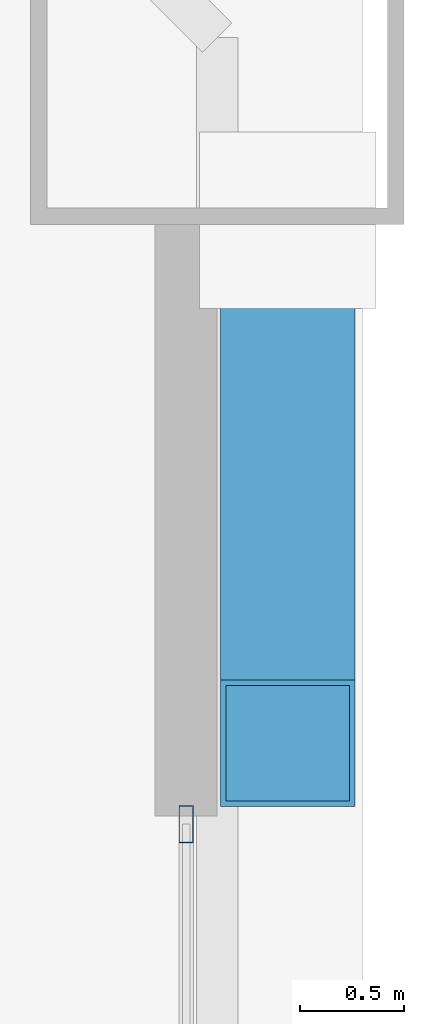
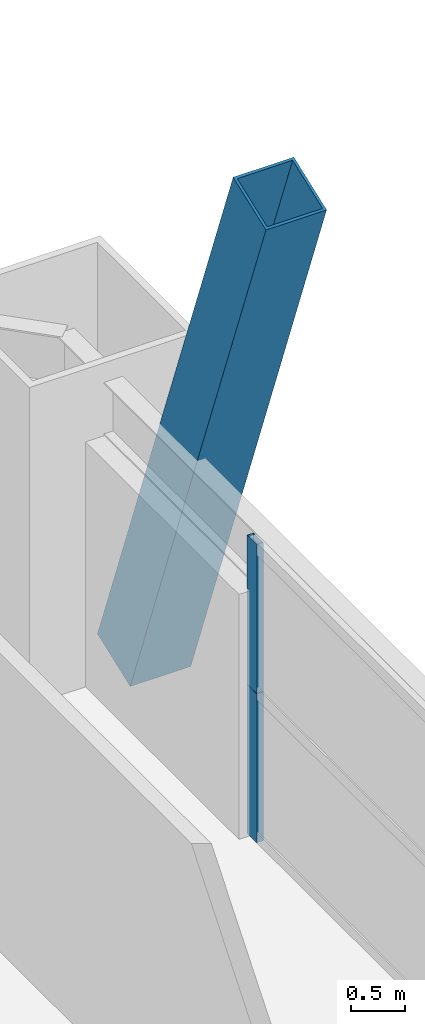
# One storey, part 34 of 43: 3 members, 1 element without a shape of its own.
"""IFC4 building model written with IfcOpenShell, lengths in metres."""

from ifc_helpers import new_model, si_unit, direction, frame, origin, origin_2d, place, context, subcontext, project, spatial, hollow_rectangle, extrude, source, transform, mapped, material, layer, layer_set, material_profile, profile_set, type_object, element, aggregate, save


model = new_model("IFC4")

# Units and contexts
model_context = context("Model", 3, precision=1e-05, world=origin(), true_north=direction((0.0, 1.0)))
body_context = subcontext(model_context, "Body", "Model", "MODEL_VIEW")
ifc_project = project(units=[si_unit("LENGTHUNIT", "METRE"), si_unit("AREAUNIT", "SQUARE_METRE"), si_unit("VOLUMEUNIT", "CUBIC_METRE"), si_unit("PLANEANGLEUNIT", "RADIAN"), si_unit("MASSUNIT", "GRAM", prefix="KILO"), si_unit("THERMODYNAMICTEMPERATUREUNIT", "KELVIN"), si_unit("POWERUNIT", "WATT")], contexts=[model_context])

# Site, building, storey
site_placement = place(None, origin())
site = spatial("IfcSite", under=ifc_project, at=site_placement, CompositionType="ELEMENT")
building_placement = place(site_placement, origin())
building = spatial("IfcBuilding", under=site, at=building_placement, Name="Yuzanri Waterfront Tower", CompositionType="ELEMENT")
storey_placement = place(building_placement, frame((0.0, 0.0, 74.800048828125)))
storey = spatial("IfcBuildingStorey", under=building, at=storey_placement, Name="L19", CompositionType="ELEMENT", Elevation=74.800048828125)

# Member
ifc_material_1 = material(Name="Steel Q420GJC", Category="steel")
ifc_material_profile_1 = material_profile(ifc_material_1, hollow_rectangle(XDim=0.64990234375, YDim=0.64990234375, WallThickness=0.028076171875, at=origin_2d()), Name="RHS 650x650x28")
ifc_profile_set_1 = profile_set([ifc_material_profile_1], Name="Steel Q420GJC")
member_type_1 = type_object("IfcMemberType", Name="Mega Brace Lower Q420GJC RHS 650x650x28", PredefinedType="BRACE", material=ifc_profile_set_1)
shared_shape_1 = source(origin(), body_context, "Body", "SweptSolid", [
    extrude(hollow_rectangle(XDim=0.64990234375, YDim=0.64990234375, WallThickness=0.028076171875, at=origin_2d()), origin(), (0.0, 0.0, 1.0), 7.158203125),
])
member_1_placement = place(storey_placement, frame((62.43994140625, 46.419921875, 0.179931640625), z_axis=(0.0, -0.352046480343, 0.935982518896), x_axis=(1.0, 0.0, 0.0)))
element("IfcMember", 1, at=member_1_placement, inside=storey, type_object=member_type_1, Name="L19-L20 Perimeter Mega-Brace E-R", PredefinedType="BRACE", context=body_context, shape_type="MappedRepresentation", body=[
    mapped(shared_shape_1, transform((0.0, 0.0, 0.0), scale=1.0)),
])

# Curtain wall, members
ifc_material_2 = material(Name="Anodized Architectural Bronze", Category="metal")
ifc_layer = layer(ifc_material_2, 0.159912109375)
ifc_layer_set = layer_set([ifc_layer], Name="Anodized Architectural Bronze")
curtain_wall_type = type_object("IfcCurtainWallType", Name="Anodized Bronze Hotel Lower-Tier Recessed Unitized Curtain Wall 8100", PredefinedType="NOTDEFINED", material=ifc_layer_set)
curtain_wall_placement = place(storey_placement, origin())
curtain_wall = element("IfcCurtainWall", 2, at=curtain_wall_placement, inside=storey, type_object=curtain_wall_type, Name="L19 Curtain Wall CW-L19-ER", PredefinedType="NOTDEFINED")
ifc_material_3 = material(Name="Anodized Architectural Bronze", Category="metal")
ifc_material_profile_2 = material_profile(ifc_material_3, hollow_rectangle(XDim=0.070068359375, YDim=0.179931640625, WallThickness=0.00390625, at=origin_2d()), Name="CWM 70x180")
ifc_profile_set_2 = profile_set([ifc_material_profile_2], Name="Anodized Architectural Bronze")
member_type_2 = type_object("IfcMemberType", Name="Anodized Bronze Standard Curtain-Wall Mullion 70x180", PredefinedType="MULLION", material=ifc_profile_set_2)
shared_shape_2 = source(origin(), body_context, "Body", "SweptSolid", [
    extrude(hollow_rectangle(XDim=0.070068359375, YDim=0.179931640625, WallThickness=0.00390625, at=origin_2d()), origin(), (0.0, 0.0, 1.0), 1.68798828125),
])
member_2_placement = place(storey_placement, frame((61.949951171875, 43.510009765625, 0.0), z_axis=(0.0, 0.0, 1.0), x_axis=(1.0, 0.0, 0.0)))
member_2 = element("IfcMember", 3, at=member_2_placement, type_object=member_type_2, Name="CW-L19-ER Lower Mullion 02", PredefinedType="MULLION", context=body_context, shape_type="MappedRepresentation", body=[
    mapped(shared_shape_2, transform((0.0, 0.0, 0.0), scale=1.0)),
])
member_3_placement = place(storey_placement, frame((61.949951171875, 43.510009765625, 1.69189453125), z_axis=(0.0, 0.0, 1.0), x_axis=(1.0, 0.0, 0.0)))
member_3 = element("IfcMember", 4, at=member_3_placement, type_object=member_type_2, Name="CW-L19-ER Upper Mullion 02", PredefinedType="MULLION", context=body_context, shape_type="MappedRepresentation", body=[
    mapped(shared_shape_2, transform((0.0, 0.0, 0.0), scale=1.0)),
])
aggregate(curtain_wall, [member_2, member_3])

save(model, "model.ifc")
